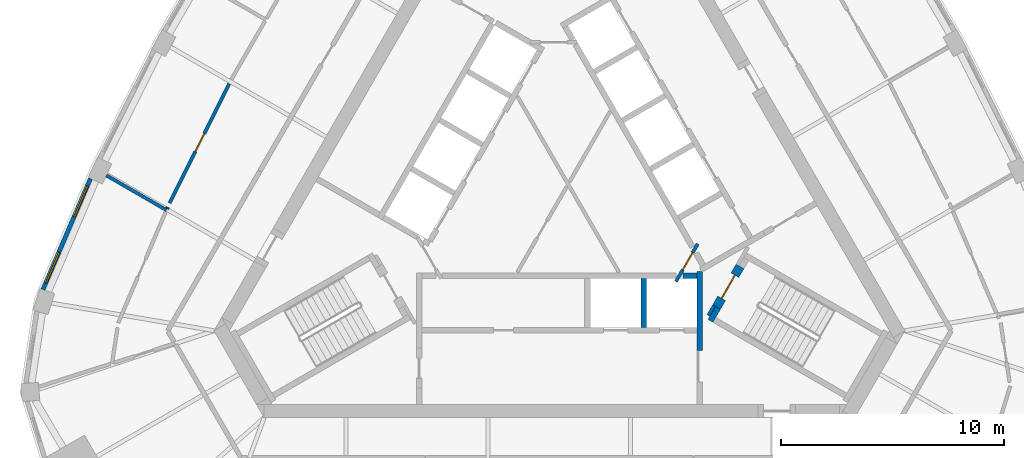
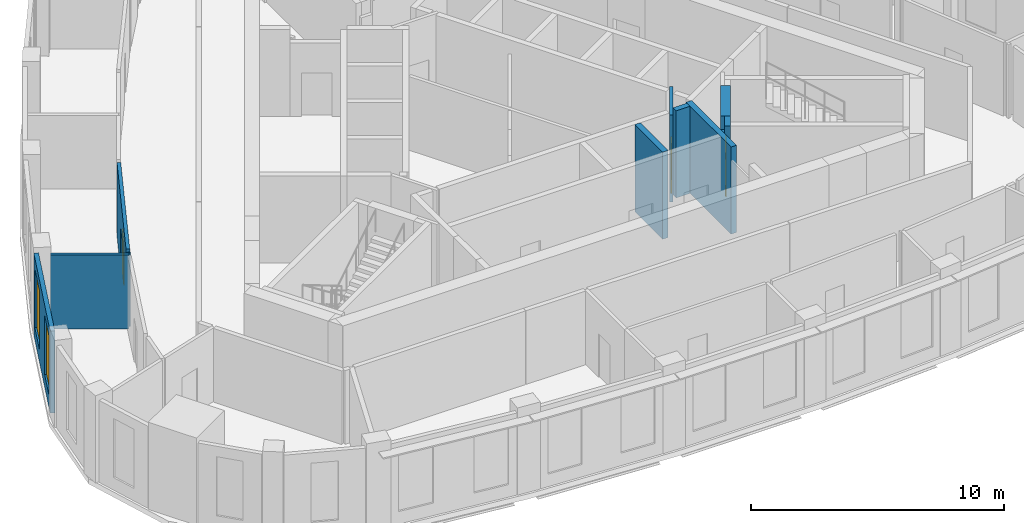
# One storey, part 4 of 10: 11 walls, 3 doors, 2 windows, 5 openings.
"""IFC4 building model written with IfcOpenShell, lengths in metres."""

from ifc_helpers import new_model, si_unit, direction, frame, frame_2d, origin, place, context, subcontext, project, spatial, rectangle, extrude, material, layer, layer_set, type_object, element, fill, save


model = new_model("IFC4")

# Units and contexts
model_context = context("Model", 3, precision=1e-05, world=origin(), true_north=direction((0.0, 1.0)))
body_context = subcontext(model_context, "Body", "Model", "MODEL_VIEW")
ifc_project = project(units=[si_unit("LENGTHUNIT", "METRE"), si_unit("AREAUNIT", "SQUARE_METRE"), si_unit("VOLUMEUNIT", "CUBIC_METRE"), si_unit("PLANEANGLEUNIT", "RADIAN"), si_unit("MASSUNIT", "GRAM", prefix="KILO")], contexts=[model_context])

# Site, building, storey
site_placement = place(None, origin())
site = spatial("IfcSite", under=ifc_project, at=site_placement, CompositionType="ELEMENT")
building_placement = place(site_placement, origin())
building = spatial("IfcBuilding", under=site, at=building_placement, Name="Mestral Congress Tower", CompositionType="ELEMENT")
storey_placement = place(building_placement, frame((0.0, 0.0, 271.199951171875)))
storey = spatial("IfcBuildingStorey", under=building, at=storey_placement, Name="L63", CompositionType="ELEMENT", Elevation=271.199951171875)

# Wall
ifc_material_1 = material(Name="Fire-rated board partition")
ifc_layer_1 = layer(ifc_material_1, 0.14990234375)
ifc_layer_set_1 = layer_set([ifc_layer_1], Name="Fire-rated board partition")
wall_type_1 = type_object("IfcWallType", Name="Core partition 150", PredefinedType="PARTITIONING", material=ifc_layer_set_1)
wall_1_placement = place(storey_placement, frame((6.94482421875, -5.22216796875, 0.0), z_axis=(0.0, 0.0, 1.0), x_axis=(-0.499818422106, -0.866130212453, 0.0)))
element("IfcWall", 1, at=wall_1_placement, inside=storey, type_object=wall_type_1, Name="L63 core wall", PredefinedType="PARTITIONING", context=body_context, shape_type="SweptSolid", body=[
    extrude(rectangle(XDim=0.513916015625, YDim=0.14990234375, at=frame_2d((0.2568359375, 0.0))), origin(), (0.0, 0.0, 1.0), 3.550048828125),
])

# Wall, openings, windows
ifc_material_2 = material(Name="Precast concrete C40/50 with limestone facing", Category="masonry")
ifc_layer_2 = layer(ifc_material_2, 0.18994140625)
ifc_layer_set_2 = layer_set([ifc_layer_2], Name="Precast concrete C40/50 with limestone facing")
wall_type_2 = type_object("IfcWallType", Name="Facade stone wall 190", PredefinedType="SOLIDWALL", material=ifc_layer_set_2)
wall_2_placement = place(storey_placement, frame((-21.048828125, 0.477783203125, 0.0), z_axis=(0.0, 0.0, 1.0), x_axis=(-0.393347848476, -0.919389726992, 0.0)))
wall_2 = element("IfcWall", 2, at=wall_2_placement, inside=storey, type_object=wall_type_2, Name="Facade wall F2-04", PredefinedType="SOLIDWALL", context=body_context, shape_type="SweptSolid", body=[
    extrude(rectangle(XDim=5.414794921875, YDim=0.18994140625, at=frame_2d((2.70751953125, 0.0))), origin(), (0.0, 0.0, 1.0), 3.949951171875),
])
opening_1_placement = place(wall_2_placement, frame((0.357421875, 0.0, 0.60009765625)))
opening_1 = element("IfcOpeningElement", 3, at=opening_1_placement, cuts=wall_2, Name="Opening W6", PredefinedType="OPENING", context=body_context, shape_type="SweptSolid", body=[
    extrude(rectangle(XDim=1.5, YDim=2.85009765625, at=frame_2d((0.75, 1.425048828125))), frame((0.0, 0.10498046875, 0.0), z_axis=(0.0, -1.0, 0.0), x_axis=(1.0, 0.0, 0.0)), (0.0, 0.0, 1.0), 0.2099609375),
])
opening_2_placement = place(wall_2_placement, frame((3.592529296875, 0.0, 0.60009765625)))
opening_2 = element("IfcOpeningElement", 4, at=opening_2_placement, cuts=wall_2, Name="Opening W6", PredefinedType="OPENING", context=body_context, shape_type="SweptSolid", body=[
    extrude(rectangle(XDim=1.5, YDim=2.85009765625, at=frame_2d((0.75, 1.425048828125))), frame((0.0, 0.10498046875, 0.0), z_axis=(0.0, -1.0, 0.0), x_axis=(1.0, 0.0, 0.0)), (0.0, 0.0, 1.0), 0.2099609375),
])
ifc_material_3 = material(Name="Clear low-emissivity double glazing", Category="glass")
window_type = type_object("IfcWindowType", Name="Facade punched window 1500 x 2850 sill 600", PartitioningType="SINGLE_PANEL", PredefinedType="WINDOW", material=ifc_material_3)
window_1_placement = place(opening_1_placement, origin())
window_1 = element("IfcWindow", 5, at=window_1_placement, inside=storey, type_object=window_type, Name="Window F2-04a", OverallHeight=2.85009765625, OverallWidth=1.5, PartitioningType="SINGLE_PANEL", PredefinedType="WINDOW", context=body_context, shape_type="SweptSolid", body=[
    extrude(rectangle(XDim=1.5, YDim=2.85009765625, at=frame_2d((0.75, 1.425048828125))), frame((0.0, 0.044921875, 0.0), z_axis=(0.0, -1.0, 0.0), x_axis=(1.0, 0.0, 0.0)), (0.0, 0.0, 1.0), 0.06005859375),
])
fill(opening_1, window_1)
window_2_placement = place(opening_2_placement, origin())
window_2 = element("IfcWindow", 6, at=window_2_placement, inside=storey, type_object=window_type, Name="Window F2-04b", OverallHeight=2.85009765625, OverallWidth=1.5, PartitioningType="SINGLE_PANEL", PredefinedType="WINDOW", context=body_context, shape_type="SweptSolid", body=[
    extrude(rectangle(XDim=1.5, YDim=2.85009765625, at=frame_2d((0.75, 1.425048828125))), frame((0.0, 0.044921875, 0.0), z_axis=(0.0, -1.0, 0.0), x_axis=(1.0, 0.0, 0.0)), (0.0, 0.0, 1.0), 0.06005859375),
])
fill(opening_2, window_2)

# Wall
ifc_material_4 = material(Name="Plasterboard partition on steel studs", Category="steel")
ifc_layer_3 = layer(ifc_material_4, 0.14990234375)
ifc_layer_set_3 = layer_set([ifc_layer_3], Name="Plasterboard partition on steel studs")
wall_type_3 = type_object("IfcWallType", Name="Office partition 150", PredefinedType="PARTITIONING", material=ifc_layer_set_3)
wall_3_placement = place(storey_placement, frame((-17.634521484375, -0.935546875, 0.0), z_axis=(0.0, 0.0, 1.0), x_axis=(-0.866044607523, 0.499966736674, 0.0)))
element("IfcWall", 7, at=wall_3_placement, inside=storey, type_object=wall_type_3, Name="Partition", PredefinedType="PARTITIONING", context=body_context, shape_type="SweptSolid", body=[
    extrude(rectangle(XDim=3.114501953125, YDim=0.14990234375, at=frame_2d((1.55712890625, 0.0))), origin(), (0.0, 0.0, 1.0), 3.550048828125),
])

# Wall, opening, door
wall_4_placement = place(storey_placement, frame((-17.49658203125, -0.61328125, 0.0), z_axis=(0.0, 0.0, 1.0), x_axis=(0.447474899467, 0.894296491297, 0.0)))
wall_4 = element("IfcWall", 8, at=wall_4_placement, inside=storey, type_object=wall_type_3, Name="Partition", PredefinedType="PARTITIONING", context=body_context, shape_type="SweptSolid", body=[
    extrude(rectangle(XDim=5.979248046875, YDim=0.14990234375, at=frame_2d((2.98974609375, 0.0))), origin(), (0.0, 0.0, 1.0), 3.550048828125),
])
opening_3_placement = place(wall_4_placement, frame((2.57958984375, 0.0, 0.0)))
opening_3 = element("IfcOpeningElement", 9, at=opening_3_placement, cuts=wall_4, Name="Opening O11-016", PredefinedType="OPENING", context=body_context, shape_type="SweptSolid", body=[
    extrude(rectangle(XDim=0.89990234375, YDim=2.10009765625, at=frame_2d((0.449951171875, 1.050048828125))), frame((0.0, 0.0849609375, 0.0), z_axis=(0.0, -1.0, 0.0), x_axis=(1.0, 0.0, 0.0)), (0.0, 0.0, 1.0), 0.169921875),
])
ifc_material_5 = material(Name="Timber door set", Category="wood")
door_type_1 = type_object("IfcDoorType", Name="Office door 900x2100", OperationType="SINGLE_SWING_LEFT", PredefinedType="DOOR", material=ifc_material_5)
door_1_placement = place(opening_3_placement, origin())
door_1 = element("IfcDoor", 10, at=door_1_placement, inside=storey, type_object=door_type_1, Name="Door O11-016", OperationType="SINGLE_SWING_RIGHT", OverallHeight=2.10009765625, OverallWidth=0.89990234375, PredefinedType="DOOR", context=body_context, shape_type="SweptSolid", body=[
    extrude(rectangle(XDim=0.89990234375, YDim=2.10009765625, at=frame_2d((0.449951171875, 1.050048828125))), frame((0.0, 0.02490234375, 0.0), z_axis=(0.0, -1.0, 0.0), x_axis=(1.0, 0.0, 0.0)), (0.0, 0.0, 1.0), 0.050048828125),
])
fill(opening_3, door_1)

# Walls
wall_5_placement = place(storey_placement, frame((-17.5810546875, -0.810302734375, 0.0), z_axis=(0.0, 0.0, 1.0), x_axis=(-0.390033474923, -0.92080067791, 0.0)))
element("IfcWall", 11, at=wall_5_placement, inside=storey, type_object=wall_type_3, Name="Partition", PredefinedType="PARTITIONING", context=body_context, shape_type="SweptSolid", body=[
    extrude(rectangle(XDim=0.060791015625, YDim=0.14990234375, at=frame_2d((0.0302734375, 0.0))), origin(), (0.0, 0.0, 1.0), 3.550048828125),
])
ifc_material_6 = material(Name="Concrete C60/75", Category="concrete")
ifc_layer_4 = layer(ifc_material_6, 0.25)
ifc_layer_set_4 = layer_set([ifc_layer_4], Name="Concrete C60/75")
wall_type_4 = type_object("IfcWallType", Name="Shaft wall RC 250", PredefinedType="SOLIDWALL", material=ifc_layer_set_4)
wall_6_placement = place(storey_placement, frame((6.300048828125, -7.239990234375, 0.0), z_axis=(0.0, 0.0, 1.0), x_axis=(0.0, 1.0, 0.0)))
element("IfcWall", 12, at=wall_6_placement, inside=storey, type_object=wall_type_4, Name="L63 core wall", PredefinedType="SOLIDWALL", context=body_context, shape_type="SweptSolid", body=[
    extrude(rectangle(XDim=3.55615234375, YDim=0.25, at=frame_2d((1.778076171875, 0.0))), origin(), (0.0, 0.0, 1.0), 4.199951171875),
])
wall_7_placement = place(storey_placement, frame((5.538330078125, -3.875, 0.0), z_axis=(0.0, 0.0, 1.0), x_axis=(1.0, 0.0, 0.0)))
element("IfcWall", 13, at=wall_7_placement, inside=storey, type_object=wall_type_4, Name="L63 core wall", PredefinedType="SOLIDWALL", context=body_context, shape_type="SweptSolid", body=[
    extrude(rectangle(XDim=0.63671875, YDim=0.25, at=frame_2d((0.318359375, 0.0))), origin(), (0.0, 0.0, 1.0), 4.199951171875),
])
wall_8_placement = place(storey_placement, frame((3.780029296875, -4.0, 0.0), z_axis=(0.0, 0.0, 1.0), x_axis=(0.0, -1.0, 0.0)))
element("IfcWall", 14, at=wall_8_placement, inside=storey, type_object=wall_type_4, Name="L63 core wall", PredefinedType="SOLIDWALL", context=body_context, shape_type="SweptSolid", body=[
    extrude(rectangle(XDim=2.199951171875, YDim=0.25, at=frame_2d((1.10009765625, 0.0))), origin(), (0.0, 0.0, 1.0), 4.199951171875),
])

# Wall, opening, door
ifc_layer_5 = layer(ifc_material_6, 0.14990234375)
ifc_layer_set_5 = layer_set([ifc_layer_5], Name="Concrete C60/75")
wall_type_5 = type_object("IfcWallType", Name="Shaft wall RC 250 door-wall 150", PredefinedType="SOLIDWALL", material=ifc_layer_set_5)
wall_9_placement = place(storey_placement, frame((6.203369140625, -2.45556640625, 0.0), z_axis=(0.0, 0.0, 1.0), x_axis=(-0.500043961785, -0.866000020948, 0.0)))
wall_9 = element("IfcWall", 15, at=wall_9_placement, inside=storey, type_object=wall_type_5, Name="L63 door wall", PredefinedType="PARTITIONING", context=body_context, shape_type="SweptSolid", body=[
    extrude(rectangle(XDim=1.949951171875, YDim=0.14990234375, at=frame_2d((0.97509765625, 0.0))), origin(), (0.0, 0.0, 1.0), 4.199951171875),
])
opening_4_placement = place(wall_9_placement, frame((0.449951171875, 0.0, 0.0)))
opening_4 = element("IfcOpeningElement", 16, at=opening_4_placement, cuts=wall_9, Name="Opening CD1-HUB0", PredefinedType="OPENING", context=body_context, shape_type="SweptSolid", body=[
    extrude(rectangle(XDim=0.89990234375, YDim=2.10009765625, at=frame_2d((0.449951171875, 1.050048828125))), frame((0.0, 0.0849609375, 0.0), z_axis=(0.0, -1.0, 0.0), x_axis=(1.0, 0.0, 0.0)), (0.0, 0.0, 1.0), 0.169921875),
])
ifc_material_7 = material(Name="Fire-rated steel door set", Category="steel")
door_type_2 = type_object("IfcDoorType", Name="Core door CD 900x2100", OperationType="SINGLE_SWING_LEFT", PredefinedType="DOOR", material=ifc_material_7)
door_2_placement = place(opening_4_placement, origin())
door_2 = element("IfcDoor", 17, at=door_2_placement, inside=storey, type_object=door_type_2, Name="Door CD1-HUB0", OperationType="SINGLE_SWING_LEFT", OverallHeight=2.10009765625, OverallWidth=0.89990234375, PredefinedType="DOOR", context=body_context, shape_type="SweptSolid", body=[
    extrude(rectangle(XDim=0.89990234375, YDim=2.10009765625, at=frame_2d((0.449951171875, 1.050048828125))), frame((0.0, 0.02490234375, 0.0), z_axis=(0.0, -1.0, 0.0), x_axis=(1.0, 0.0, 0.0)), (0.0, 0.0, 1.0), 0.050048828125),
])
fill(opening_4, door_2)

# Wall
ifc_layer_6 = layer(ifc_material_6, 0.25)
ifc_layer_set_6 = layer_set([ifc_layer_6], Name="Concrete C60/75")
wall_type_6 = type_object("IfcWallType", Name="Stair wall RC 250", PredefinedType="SOLIDWALL", material=ifc_layer_set_6)
wall_10_placement = place(storey_placement, frame((6.780029296875, -5.906494140625, 0.0), z_axis=(0.0, 0.0, 1.0), x_axis=(0.500223362819, 0.865896406789, 0.0)))
element("IfcWall", 18, at=wall_10_placement, inside=storey, type_object=wall_type_6, Name="L63 core wall", PredefinedType="SOLIDWALL", context=body_context, shape_type="SweptSolid", body=[
    extrude(rectangle(XDim=0.675048828125, YDim=0.25, at=frame_2d((0.33740234375, 0.0))), origin(), (0.0, 0.0, 1.0), 4.199951171875),
])

# Wall, opening, door
ifc_layer_7 = layer(ifc_material_6, 0.39990234375)
ifc_layer_set_7 = layer_set([ifc_layer_7], Name="Concrete C60/75")
wall_type_7 = type_object("IfcWallType", Name="Stair wall RC 250 door-wall 400", PredefinedType="SOLIDWALL", material=ifc_layer_set_7)
wall_11_placement = place(storey_placement, frame((7.052734375, -5.2841796875, 0.0), z_axis=(0.0, 0.0, 1.0), x_axis=(0.500078061341, 0.865980330357, 0.0)))
wall_11 = element("IfcWall", 19, at=wall_11_placement, inside=storey, type_object=wall_type_7, Name="L63 door wall", PredefinedType="SOLIDWALL", context=body_context, shape_type="SweptSolid", body=[
    extrude(rectangle(XDim=2.099853515625, YDim=0.39990234375, at=frame_2d((1.0498046875, 0.0))), origin(), (0.0, 0.0, 1.0), 4.199951171875),
])
opening_5_placement = place(wall_11_placement, frame((0.449951171875, 0.0, 0.0)))
opening_5 = element("IfcOpeningElement", 20, at=opening_5_placement, cuts=wall_11, Name="Opening ST-D1", PredefinedType="OPENING", context=body_context, shape_type="SweptSolid", body=[
    extrude(rectangle(XDim=1.199951171875, YDim=2.10009765625, at=frame_2d((0.60009765625, 1.050048828125))), frame((0.0, 0.2099609375, 0.0), z_axis=(0.0, -1.0, 0.0), x_axis=(1.0, 0.0, 0.0)), (0.0, 0.0, 1.0), 0.419921875),
])
door_type_3 = type_object("IfcDoorType", Name="Core door ST 1200x2100", OperationType="SINGLE_SWING_LEFT", PredefinedType="DOOR", material=ifc_material_7)
door_3_placement = place(opening_5_placement, origin())
door_3 = element("IfcDoor", 21, at=door_3_placement, inside=storey, type_object=door_type_3, Name="Door ST-D1", OperationType="SINGLE_SWING_LEFT", OverallHeight=2.10009765625, OverallWidth=1.199951171875, PredefinedType="DOOR", context=body_context, shape_type="SweptSolid", body=[
    extrude(rectangle(XDim=1.199951171875, YDim=2.10009765625, at=frame_2d((0.60009765625, 1.050048828125))), frame((0.0, 0.02490234375, 0.0), z_axis=(0.0, -1.0, 0.0), x_axis=(1.0, 0.0, 0.0)), (0.0, 0.0, 1.0), 0.050048828125),
])
fill(opening_5, door_3)

save(model, "model.ifc")
